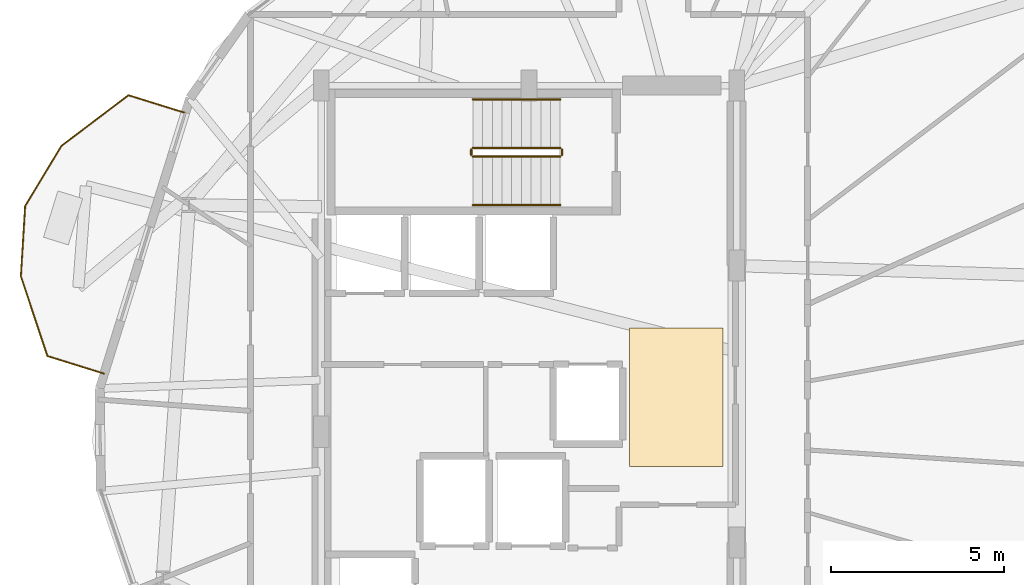
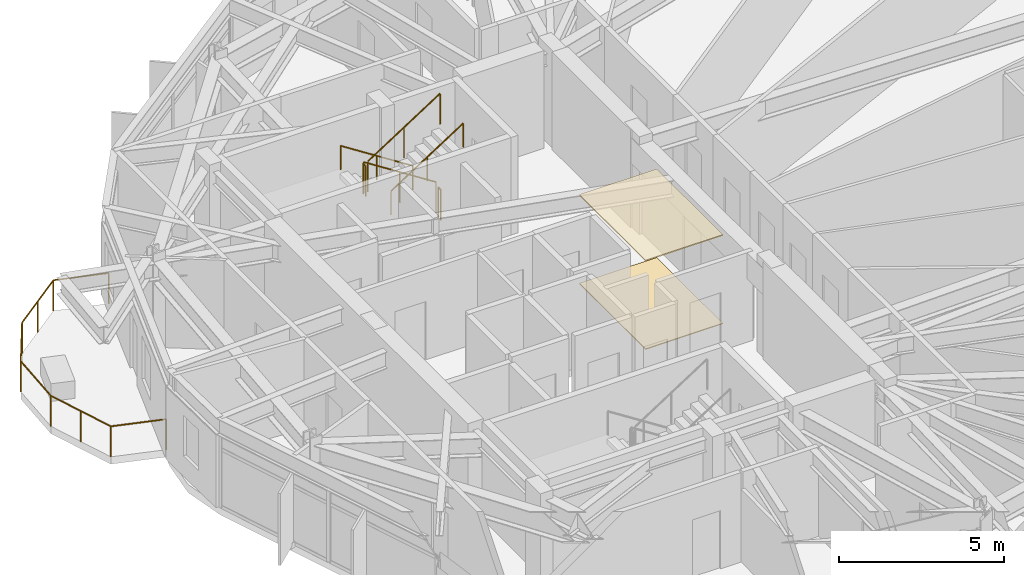
# One storey, part 26 of 27: 7 railings, 2 coverings.
"""IFC4 building model written with IfcOpenShell, lengths in metres."""

from ifc_helpers import new_model, si_unit, direction, frame, origin, origin_2d, place, context, subcontext, project, spatial, polyline, circle, outline, extrude, material, layer, layer_set, type_object, element, save


model = new_model("IFC4")

# Units and contexts
model_context = context("Model", 3, precision=1e-05, world=origin(), true_north=direction((0.0, 1.0)))
body_context = subcontext(model_context, "Body", "Model", "MODEL_VIEW")
ifc_project = project(units=[si_unit("LENGTHUNIT", "METRE"), si_unit("AREAUNIT", "SQUARE_METRE"), si_unit("VOLUMEUNIT", "CUBIC_METRE"), si_unit("PLANEANGLEUNIT", "RADIAN"), si_unit("MASSUNIT", "GRAM", prefix="KILO")], contexts=[model_context])

# Site, building, storey
site_placement = place(None, origin())
site = spatial("IfcSite", under=ifc_project, at=site_placement, CompositionType="ELEMENT")
building_placement = place(site_placement, origin())
building = spatial("IfcBuilding", under=site, at=building_placement, Name="Soratama Intermodal Tower", CompositionType="ELEMENT")
storey_placement = place(building_placement, frame((0.0, 0.0, 167.800048828125)))
storey = spatial("IfcBuildingStorey", under=building, at=storey_placement, Name="L41", CompositionType="ELEMENT", Elevation=167.800048828125)

# Coverings
ifc_material_1 = material(Name="Perforated mineral acoustic ceiling", Category="concrete")
ifc_layer_1 = layer(ifc_material_1, 0.0400390625)
ifc_layer_set_1 = layer_set([ifc_layer_1], Name="Perforated mineral acoustic ceiling")
covering_type_1 = type_object("IfcCoveringType", Name="CV-CEIL-ACOUSTIC", PredefinedType="CEILING", material=ifc_layer_set_1)
covering_1_placement = place(storey_placement, frame((0.0, 0.0, 3.260009765625)))
element("IfcCovering", 1, at=covering_1_placement, inside=storey, type_object=covering_type_1, Name="L41 Acoustic Ceiling", PredefinedType="CEILING", context=body_context, shape_type="SweptSolid", body=[
    extrude(outline(polyline([(41.5, 24.0), (44.199951171875, 24.0), (44.199951171875, 28.0), (41.5, 28.0), (41.5, 24.0)])), origin(), (0.0, 0.0, 1.0), 0.0400390625),
])
ifc_material_2 = material(Name="Polished Andean stone terrazzo flooring", Category="masonry")
ifc_layer_2 = layer(ifc_material_2, 0.030029296875)
ifc_layer_set_2 = layer_set([ifc_layer_2], Name="Polished Andean stone terrazzo flooring")
covering_type_2 = type_object("IfcCoveringType", Name="CV-FLOR-TERRAZZO", PredefinedType="FLOORING", material=ifc_layer_set_2)
covering_2_placement = place(storey_placement, origin())
element("IfcCovering", 2, at=covering_2_placement, inside=storey, type_object=covering_type_2, Name="L41 Lobby Terrazzo Flooring", PredefinedType="FLOORING", context=body_context, shape_type="SweptSolid", body=[
    extrude(outline(polyline([(41.5, 24.0), (44.199951171875, 24.0), (44.199951171875, 28.0), (41.5, 28.0), (41.5, 24.0)])), origin(), (0.0, 0.0, 1.0), 0.030029296875),
])

# Railings
ifc_material_3 = material(Name="Laminated glass and stainless steel balustrade", Category="steel")
railing_type_1 = type_object("IfcRailingType", Name="RL-BAL-1150", PredefinedType="BALUSTRADE", material=ifc_material_3)
railing_1_placement = place(storey_placement, frame((26.326171875, 26.6767578125, 0.0)))
element("IfcRailing", 3, at=railing_1_placement, inside=storey, type_object=railing_type_1, Name="L41 Balcony Balustrade 2", PredefinedType="BALUSTRADE", context=body_context, shape_type="SweptSolid", body=[
    extrude(circle(Radius=0.02392578125, at=origin_2d()), frame((0.0, 0.0, 1.1259765625), z_axis=(-0.954890771362, 0.296957260843, 0.0), x_axis=(-0.296957260843, -0.954890771362, 0.0)), (0.0, 0.0, 1.0), 1.719970703125),
    extrude(circle(Radius=0.02392578125, at=origin_2d()), frame((-1.642333984375, 0.5107421875, 1.1259765625), z_axis=(-0.315202043498, 0.949024589658, 0.0), x_axis=(-0.949024589658, -0.315202043498, 0.0)), (0.0, 0.0, 1.0), 2.42822265625),
    extrude(circle(Radius=0.02392578125, at=origin_2d()), frame((-2.40771484375, 2.815185546875, 1.1259765625), z_axis=(0.060567626343, 0.998164096048, 0.0), x_axis=(-0.998164096048, 0.060567626343, 0.0)), (0.0, 0.0, 1.0), 2.031494140625),
    extrude(circle(Radius=0.02392578125, at=origin_2d()), frame((-2.28466796875, 4.843017578125, 1.1259765625), z_axis=(0.516385469573, 0.856356261619, 0.0), x_axis=(-0.856356261619, 0.516385469573, 0.0)), (0.0, 0.0, 1.0), 2.031494140625),
    extrude(circle(Radius=0.02392578125, at=origin_2d()), frame((-1.235595703125, 6.582763671875, 1.1259765625), z_axis=(0.797919979442, 0.602763391728, 0.0), x_axis=(-0.602763391728, 0.797919979442, 0.0)), (0.0, 0.0, 1.0), 2.42822265625),
    extrude(circle(Radius=0.02392578125, at=origin_2d()), frame((0.701904296875, 8.04638671875, 1.1259765625), z_axis=(0.954850512988, -0.297086684062, 0.0), x_axis=(0.297086684062, 0.954850512988, 0.0)), (0.0, 0.0, 1.0), 1.719970703125),
    extrude(circle(Radius=0.02099609375, at=origin_2d()), origin(), (0.0, 0.0, 1.0), 1.101806640625),
    extrude(circle(Radius=0.02099609375, at=origin_2d()), frame((-1.642333984375, 0.5107421875, 0.0)), (0.0, 0.0, 1.0), 1.101806640625),
    extrude(circle(Radius=0.02099609375, at=origin_2d()), frame((-2.02490234375, 1.6630859375, 0.0)), (0.0, 0.0, 1.0), 1.101806640625),
    extrude(circle(Radius=0.02099609375, at=origin_2d()), frame((-2.40771484375, 2.815185546875, 0.0)), (0.0, 0.0, 1.0), 1.101806640625),
    extrude(circle(Radius=0.02099609375, at=origin_2d()), frame((-2.28466796875, 4.843017578125, 0.0)), (0.0, 0.0, 1.0), 1.101806640625),
    extrude(circle(Radius=0.02099609375, at=origin_2d()), frame((-1.235595703125, 6.582763671875, 0.0)), (0.0, 0.0, 1.0), 1.101806640625),
    extrude(circle(Radius=0.02099609375, at=origin_2d()), frame((-0.266845703125, 7.314453125, 0.0)), (0.0, 0.0, 1.0), 1.101806640625),
    extrude(circle(Radius=0.02099609375, at=origin_2d()), frame((0.701904296875, 8.04638671875, 0.0)), (0.0, 0.0, 1.0), 1.101806640625),
    extrude(circle(Radius=0.02099609375, at=origin_2d()), frame((2.34423828125, 7.535400390625, 0.0)), (0.0, 0.0, 1.0), 1.101806640625),
])
ifc_material_4 = material(Name="Painted steel stair guardrail", Category="steel")
railing_type_2 = type_object("IfcRailingType", Name="RL-STAIR-GUARD", PredefinedType="GUARDRAIL", material=ifc_material_4)
railing_2_placement = place(storey_placement, frame((39.5, 33.199951171875, 0.179931640625)))
element("IfcRailing", 4, at=railing_2_placement, inside=storey, type_object=railing_type_2, Name="L41 ST-2 stair guard 1", PredefinedType="GUARDRAIL", context=body_context, shape_type="SweptSolid", body=[
    extrude(circle(Radius=0.02392578125, at=origin_2d()), frame((0.0, 0.0, 1.1259765625), z_axis=(-0.841162588446, 0.0, 0.540782303519), x_axis=(0.0, -1.0, 0.0)), (0.0, 0.0, 1.0), 2.995849609375),
    extrude(circle(Radius=0.02099609375, at=origin_2d()), origin(), (0.0, 0.0, 1.0), 1.101806640625),
    extrude(circle(Radius=0.02099609375, at=origin_2d()), frame((-1.260009765625, 0.0, 0.81005859375)), (0.0, 0.0, 1.0), 1.101806640625),
    extrude(circle(Radius=0.02099609375, at=origin_2d()), frame((-2.52001953125, 0.0, 1.6201171875)), (0.0, 0.0, 1.0), 1.101806640625),
])
railing_3_placement = place(storey_placement, frame((36.929931640625, 33.14990234375, 1.800048828125)))
element("IfcRailing", 5, at=railing_3_placement, inside=storey, type_object=railing_type_2, Name="L41 ST-2 stair guard 2", PredefinedType="GUARDRAIL", context=body_context, shape_type="SweptSolid", body=[
    extrude(circle(Radius=0.02392578125, at=origin_2d()), frame((0.0, 0.0, 1.1259765625), z_axis=(0.0, -1.0, 0.0), x_axis=(1.0, 0.0, 0.0)), (0.0, 0.0, 1.0), 0.14990234375),
    extrude(circle(Radius=0.02099609375, at=origin_2d()), origin(), (0.0, 0.0, 1.0), 1.101806640625),
    extrude(circle(Radius=0.02099609375, at=origin_2d()), frame((0.0, -0.14990234375, 0.0)), (0.0, 0.0, 1.0), 1.101806640625),
])
railing_4_placement = place(storey_placement, frame((36.97998046875, 32.949951171875, 1.97998046875)))
element("IfcRailing", 6, at=railing_4_placement, inside=storey, type_object=railing_type_2, Name="L41 ST-2 stair guard 3", PredefinedType="GUARDRAIL", context=body_context, shape_type="SweptSolid", body=[
    extrude(circle(Radius=0.02392578125, at=origin_2d()), frame((0.0, 0.0, 1.1259765625), z_axis=(0.841199657755, 0.0, 0.540724639528), x_axis=(0.0, 1.0, 0.0)), (0.0, 0.0, 1.0), 2.995849609375),
    extrude(circle(Radius=0.02099609375, at=origin_2d()), origin(), (0.0, 0.0, 1.0), 1.101806640625),
    extrude(circle(Radius=0.02099609375, at=origin_2d()), frame((1.260009765625, 0.0, 0.81005859375)), (0.0, 0.0, 1.0), 1.101806640625),
    extrude(circle(Radius=0.02099609375, at=origin_2d()), frame((2.52001953125, 0.0, 1.619873046875)), (0.0, 0.0, 1.0), 1.101806640625),
])
railing_5_placement = place(storey_placement, frame((39.550048828125, 33.14990234375, 0.0)))
element("IfcRailing", 7, at=railing_5_placement, inside=storey, type_object=railing_type_2, Name="L41 ST-2 stair guard 4", PredefinedType="GUARDRAIL", context=body_context, shape_type="SweptSolid", body=[
    extrude(circle(Radius=0.02392578125, at=origin_2d()), frame((0.0, 0.0, 1.1259765625), z_axis=(0.0, -1.0, 0.0), x_axis=(1.0, 0.0, 0.0)), (0.0, 0.0, 1.0), 0.14990234375),
    extrude(circle(Radius=0.02099609375, at=origin_2d()), origin(), (0.0, 0.0, 1.0), 1.101806640625),
    extrude(circle(Radius=0.02099609375, at=origin_2d()), frame((0.0, -0.14990234375, 0.0)), (0.0, 0.0, 1.0), 1.101806640625),
])
ifc_material_5 = material(Name="Brushed stainless steel handrail", Category="steel")
railing_type_3 = type_object("IfcRailingType", Name="RL-STAIR-HAND", PredefinedType="HANDRAIL", material=ifc_material_5)
railing_6_placement = place(storey_placement, frame((39.5, 34.60009765625, 0.179931640625)))
element("IfcRailing", 8, at=railing_6_placement, inside=storey, type_object=railing_type_3, Name="L41 ST-2 stair handrail 1", PredefinedType="HANDRAIL", context=body_context, shape_type="SweptSolid", body=[
    extrude(circle(Radius=0.02392578125, at=origin_2d()), frame((0.0, 0.0, 0.8759765625), z_axis=(-0.841162588446, 0.0, 0.540782303519), x_axis=(0.0, -1.0, 0.0)), (0.0, 0.0, 1.0), 2.995849609375),
    extrude(circle(Radius=0.02099609375, at=origin_2d()), origin(), (0.0, 0.0, 1.0), 0.851806640625),
    extrude(circle(Radius=0.02099609375, at=origin_2d()), frame((-1.260009765625, 0.0, 0.81005859375)), (0.0, 0.0, 1.0), 0.851806640625),
    extrude(circle(Radius=0.02099609375, at=origin_2d()), frame((-2.52001953125, 0.0, 1.6201171875)), (0.0, 0.0, 1.0), 0.851806640625),
])
railing_7_placement = place(storey_placement, frame((36.97998046875, 31.550048828125, 1.97998046875)))
element("IfcRailing", 9, at=railing_7_placement, inside=storey, type_object=railing_type_3, Name="L41 ST-2 stair handrail 2", PredefinedType="HANDRAIL", context=body_context, shape_type="SweptSolid", body=[
    extrude(circle(Radius=0.02392578125, at=origin_2d()), frame((0.0, 0.0, 0.8759765625), z_axis=(0.841199657755, 0.0, 0.540724639528), x_axis=(0.0, 1.0, 0.0)), (0.0, 0.0, 1.0), 2.995849609375),
    extrude(circle(Radius=0.02099609375, at=origin_2d()), origin(), (0.0, 0.0, 1.0), 0.851806640625),
    extrude(circle(Radius=0.02099609375, at=origin_2d()), frame((1.260009765625, 0.0, 0.81005859375)), (0.0, 0.0, 1.0), 0.851806640625),
    extrude(circle(Radius=0.02099609375, at=origin_2d()), frame((2.52001953125, 0.0, 1.619873046875)), (0.0, 0.0, 1.0), 0.851806640625),
])

save(model, "model.ifc")
